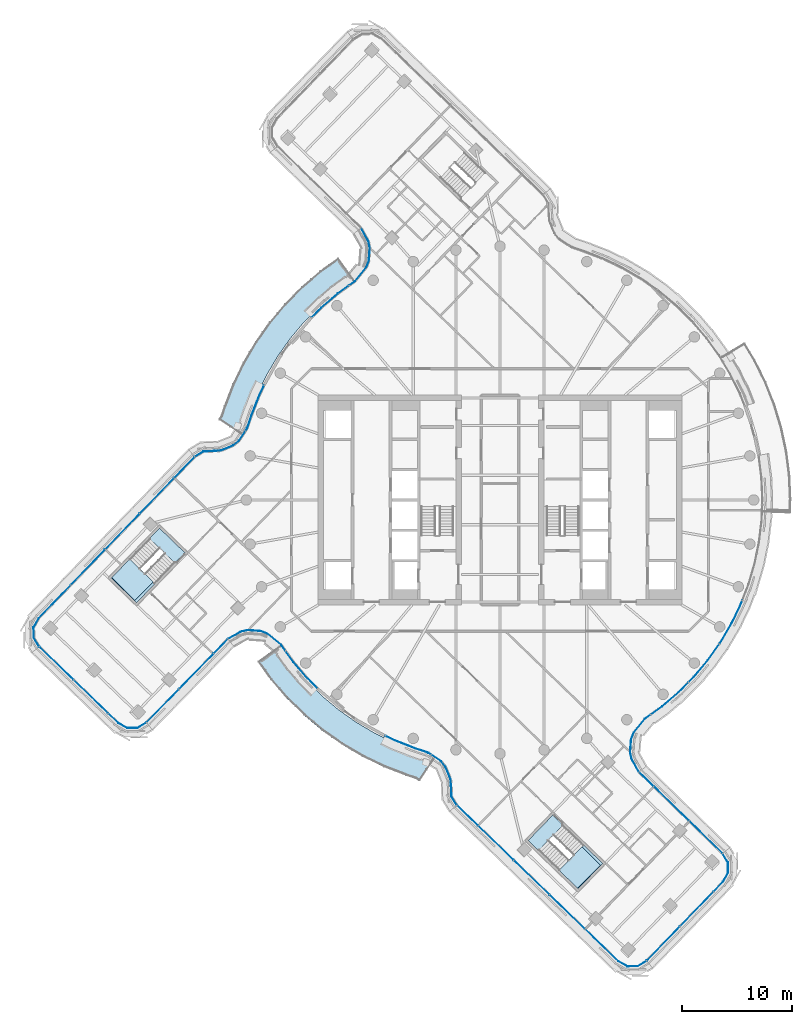
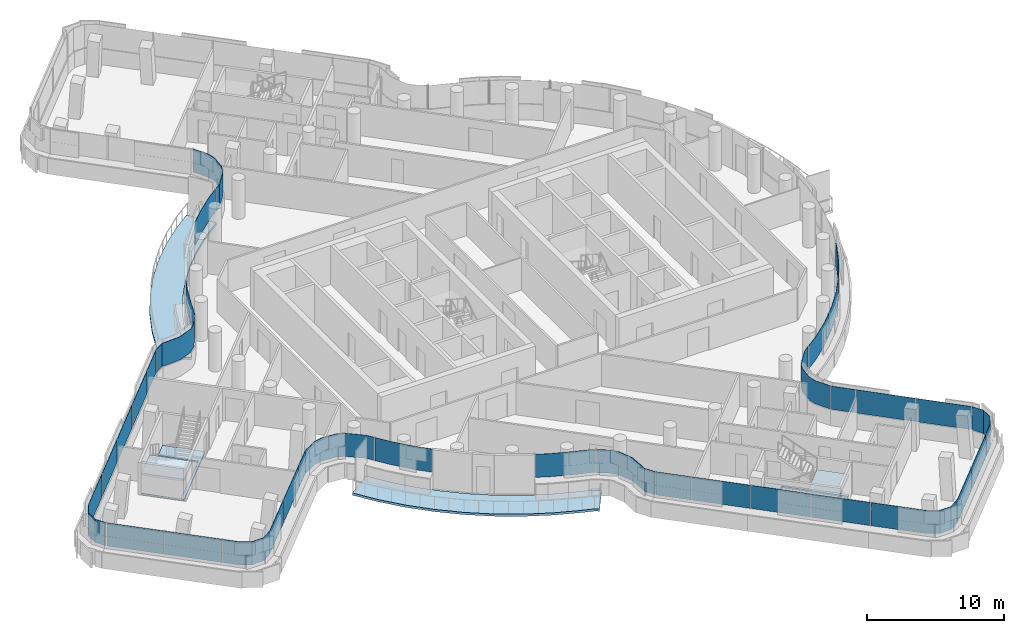
# One storey, part 17 of 31: 34 plates, 6 slabs, 11 elements without a shape of their own.
"""IFC4 building model written with IfcOpenShell, lengths in metres."""

from ifc_helpers import new_model, si_unit, direction, frame, origin, place, context, subcontext, project, spatial, polyline, outline, extrude, material, layer, layer_set, type_object, element, aggregate, save


model = new_model("IFC4")

# Units and contexts
model_context = context("Model", 3, precision=1e-05, world=origin(), true_north=direction((0.0, 1.0)))
body_context = subcontext(model_context, "Body", "Model", "MODEL_VIEW")
ifc_project = project(units=[si_unit("LENGTHUNIT", "METRE"), si_unit("AREAUNIT", "SQUARE_METRE"), si_unit("VOLUMEUNIT", "CUBIC_METRE"), si_unit("PLANEANGLEUNIT", "RADIAN"), si_unit("MASSUNIT", "GRAM", prefix="KILO")], contexts=[model_context])

# Site, building, storey
site_placement = place(None, origin())
site = spatial("IfcSite", under=ifc_project, at=site_placement, CompositionType="ELEMENT")
building_placement = place(site_placement, origin())
building = spatial("IfcBuilding", under=site, at=building_placement, Name="Tamarind Cross Interchange Tower", CompositionType="ELEMENT")
storey_placement = place(building_placement, frame((0.0, 0.0, 200.5)))
storey = spatial("IfcBuildingStorey", under=building, at=storey_placement, Name="L50", CompositionType="ELEMENT", Elevation=200.5)

# Slabs
ifc_material_1 = material(Name="Precast concrete C40", Category="concrete")
ifc_layer_1 = layer(ifc_material_1, 0.199951171875)
ifc_layer_set_1 = layer_set([ifc_layer_1], Name="Precast concrete C40")
slab_type_1 = type_object("IfcSlabType", Name="Balcony slab", PredefinedType="BASESLAB", material=ifc_layer_set_1)
slab_1_placement = place(storey_placement, frame((0.0, 0.0, -0.199951171875)))
element("IfcSlab", 1, at=slab_1_placement, inside=storey, type_object=slab_type_1, Name="SLB-L50-BAL02", PredefinedType="BASESLAB", context=body_context, shape_type="SweptSolid", body=[
    extrude(outline(polyline([(-19.9638671875, -13.305908203125), (-18.87255859375, -14.820068359375), (-17.584228515625, -16.327880859375), (-16.17578125, -17.72412109375), (-14.656982421875, -18.99951171875), (-13.0380859375, -20.14501953125), (-11.329833984375, -21.15283203125), (-9.54443359375, -22.01611328125), (-7.69384765625, -22.72900390625), (-6.571044921875, -23.109130859375), (-6.02783203125, -23.470703125), (-7.35791015625, -25.468505859375), (-7.638916015625, -25.281494140625), (-8.51025390625, -24.986572265625), (-10.499755859375, -24.219970703125), (-12.464111328125, -23.270263671875), (-14.343017578125, -22.161376953125), (-16.124267578125, -20.9013671875), (-17.795166015625, -19.498291015625), (-19.344482421875, -17.96240234375), (-20.76171875, -16.3037109375), (-21.910888671875, -14.70947265625), (-19.9638671875, -13.305908203125)])), origin(), (0.0, 0.0, 1.0), 0.199951171875),
])
slab_2_placement = place(storey_placement, frame((0.0, 0.0, -0.199951171875)))
element("IfcSlab", 2, at=slab_2_placement, inside=storey, type_object=slab_type_1, Name="SLB-L50-BAL10", PredefinedType="BASESLAB", context=body_context, shape_type="SweptSolid", body=[
    extrude(outline(polyline([(-13.305908203125, 19.9638671875), (-14.820068359375, 18.87255859375), (-16.327880859375, 17.584228515625), (-17.72412109375, 16.17578125), (-18.99951171875, 14.656982421875), (-20.14501953125, 13.0380859375), (-21.15283203125, 11.329833984375), (-22.01611328125, 9.54443359375), (-22.72900390625, 7.69384765625), (-23.109130859375, 6.571044921875), (-23.470703125, 6.02783203125), (-25.468505859375, 7.35791015625), (-25.281494140625, 7.638916015625), (-24.986572265625, 8.51025390625), (-24.219970703125, 10.499755859375), (-23.270263671875, 12.464111328125), (-22.161376953125, 14.343017578125), (-20.9013671875, 16.124267578125), (-19.498291015625, 17.795166015625), (-17.96240234375, 19.344482421875), (-16.3037109375, 20.76171875), (-14.70947265625, 21.910888671875), (-13.305908203125, 19.9638671875)])), origin(), (0.0, 0.0, 1.0), 0.199951171875),
])
ifc_material_2 = material(Name="Concrete C35", Category="concrete")
ifc_layer_2 = layer(ifc_material_2, 0.139892578125)
ifc_layer_set_2 = layer_set([ifc_layer_2], Name="Concrete C35")
slab_type_2 = type_object("IfcSlabType", Name="Composite slab 140 Concrete C35", PredefinedType="FLOOR", material=ifc_layer_set_2)
slab_3_placement = place(storey_placement, frame((0.0, 0.0, -0.139892578125)))
element("IfcSlab", 3, at=slab_3_placement, inside=storey, type_object=slab_type_2, Name="Floor slab L50", PredefinedType="FLOOR", context=body_context, shape_type="SweptSolid", body=[
    extrude(outline(polyline([(-35.24609375, -7.08447265625), (-32.9453125, -9.30859375), (-28.566650390625, -4.77880859375), (-30.867431640625, -2.5546875), (-31.72216796875, -3.43896484375), (-31.779296875, -3.498046875), (-29.600830078125, -5.60400390625), (-33.11328125, -9.107421875), (-35.189453125, -7.02587890625), (-35.24609375, -7.08447265625)])), origin(), (0.0, 0.0, 1.0), 0.139892578125),
])
slab_4_placement = place(storey_placement, frame((0.0, 0.0, -0.139892578125)))
element("IfcSlab", 4, at=slab_4_placement, inside=storey, type_object=slab_type_2, Name="Floor slab L50", PredefinedType="FLOOR", context=body_context, shape_type="SweptSolid", body=[
    extrude(outline(polyline([(7.08447265625, -35.24609375), (9.30859375, -32.9453125), (4.77880859375, -28.566650390625), (2.5546875, -30.867431640625), (3.43896484375, -31.72216796875), (3.498046875, -31.779296875), (5.60400390625, -29.600830078125), (9.107421875, -33.11328125), (7.02587890625, -35.189453125), (7.08447265625, -35.24609375)])), origin(), (0.0, 0.0, 1.0), 0.139892578125),
])

# Stair, slab
ifc_material_3 = material(Name="Exit stair")
stair_type = type_object("IfcStairType", Name="Exit stair", PredefinedType="HALF_TURN_STAIR", material=ifc_material_3)
stair_1_placement = place(storey_placement, origin())
stair_1 = element("IfcStair", 5, at=stair_1_placement, inside=storey, type_object=stair_type, Name="L50 exit stair ST5", PredefinedType="HALF_TURN_STAIR")
ifc_material_4 = material(Name="Concrete C40", Category="concrete")
ifc_layer_3 = layer(ifc_material_4, 0.199951171875)
ifc_layer_set_3 = layer_set([ifc_layer_3], Name="Concrete C40")
slab_type_3 = type_object("IfcSlabType", Name="Stair landing", PredefinedType="LANDING", material=ifc_layer_set_3)
slab_5_placement = place(storey_placement, frame((0.0, 0.0, 1.60009765625)))
slab_5 = element("IfcSlab", 6, at=slab_5_placement, type_object=slab_type_3, Name="ST5 landing 1", PredefinedType="LANDING", context=body_context, shape_type="SweptSolid", body=[
    extrude(outline(polyline([(-33.56982421875, -5.350341796875), (-35.24609375, -7.08447265625), (-32.9453125, -9.30859375), (-31.26904296875, -7.57421875), (-33.56982421875, -5.350341796875)])), origin(), (0.0, 0.0, 1.0), 0.199951171875),
])
aggregate(stair_1, [slab_5])

stair_2_placement = place(storey_placement, origin())
stair_2 = element("IfcStair", 7, at=stair_2_placement, inside=storey, type_object=stair_type, Name="L50 exit stair ST6", PredefinedType="HALF_TURN_STAIR")
slab_6_placement = place(storey_placement, frame((0.0, 0.0, 1.60009765625)))
slab_6 = element("IfcSlab", 8, at=slab_6_placement, type_object=slab_type_3, Name="ST6 landing 1", PredefinedType="LANDING", context=body_context, shape_type="SweptSolid", body=[
    extrude(outline(polyline([(5.350341796875, -33.56982421875), (7.08447265625, -35.24609375), (9.30859375, -32.9453125), (7.57421875, -31.26904296875), (5.350341796875, -33.56982421875)])), origin(), (0.0, 0.0, 1.0), 0.199951171875),
])
aggregate(stair_2, [slab_6])

# Curtain wall, plates
ifc_material_5 = material(Name="Aluminium 6063-T6", Category="aluminium")
ifc_layer_4 = layer(ifc_material_5, 0.139892578125)
ifc_layer_set_4 = layer_set([ifc_layer_4], Name="Aluminium 6063-T6")
curtain_wall_type = type_object("IfcCurtainWallType", Name="Hotel curtain wall, 4.5 m bays", PredefinedType="NOTDEFINED", material=ifc_layer_set_4)
curtain_wall_1_placement = place(storey_placement, origin())
curtain_wall_1 = element("IfcCurtainWall", 9, at=curtain_wall_1_placement, inside=storey, type_object=curtain_wall_type, Name="CWS-L50-00", PredefinedType="NOTDEFINED")
ifc_material_6 = material(Name="Laminated low-e glass 6+1.52+6", Category="glass")
ifc_layer_5 = layer(ifc_material_6, 0.02392578125)
ifc_layer_set_5 = layer_set([ifc_layer_5], Name="Laminated low-e glass 6+1.52+6")
plate_type = type_object("IfcPlateType", Name="Vision panel CW2", PredefinedType="CURTAIN_PANEL", material=ifc_layer_set_5)
plate_1_placement = place(storey_placement, frame((0.0, 0.0, 1.39990234375)))
plate_1 = element("IfcPlate", 10, at=plate_1_placement, type_object=plate_type, Name="CWP-L50-00-00", PredefinedType="CURTAIN_PANEL", context=body_context, shape_type="SweptSolid", body=[
    extrude(outline(polyline([(-41.745849609375, -13.313720703125), (-38.66455078125, -16.292236328125), (-38.68115234375, -16.3095703125), (-41.762451171875, -13.3310546875), (-41.745849609375, -13.313720703125)])), origin(), (0.0, 0.0, 1.0), 2.06005859375),
])
plate_2_placement = place(storey_placement, frame((0.0, 0.0, 1.39990234375)))
plate_2 = element("IfcPlate", 11, at=plate_2_placement, type_object=plate_type, Name="CWP-L50-00-01", PredefinedType="CURTAIN_PANEL", context=body_context, shape_type="SweptSolid", body=[
    extrude(outline(polyline([(-38.621337890625, -16.333984375), (-35.5400390625, -19.312744140625), (-35.556640625, -19.329833984375), (-38.637939453125, -16.351318359375), (-38.621337890625, -16.333984375)])), origin(), (0.0, 0.0, 1.0), 2.06005859375),
])
plate_3_placement = place(storey_placement, frame((0.0, 0.0, 1.39990234375)))
plate_3 = element("IfcPlate", 12, at=plate_3_placement, type_object=plate_type, Name="CWP-L50-00-02", PredefinedType="CURTAIN_PANEL", context=body_context, shape_type="SweptSolid", body=[
    extrude(outline(polyline([(-35.496826171875, -19.354248046875), (-34.616455078125, -20.205322265625), (-33.78515625, -20.666748046875), (-32.86376953125, -20.651123046875), (-32.07275390625, -20.17626953125), (-32.060302734375, -20.19677734375), (-32.85693359375, -20.675048828125), (-33.791259765625, -20.690673828125), (-34.630859375, -20.224853515625), (-35.513427734375, -19.37158203125), (-35.496826171875, -19.354248046875)])), origin(), (0.0, 0.0, 1.0), 2.06005859375),
])
aggregate(curtain_wall_1, [plate_1, plate_2, plate_3])

curtain_wall_2_placement = place(storey_placement, origin())
curtain_wall_2 = element("IfcCurtainWall", 13, at=curtain_wall_2_placement, inside=storey, type_object=curtain_wall_type, Name="CWS-L50-01", PredefinedType="NOTDEFINED")
plate_4_placement = place(storey_placement, frame((0.0, 0.0, 1.39990234375)))
plate_4 = element("IfcPlate", 14, at=plate_4_placement, type_object=plate_type, Name="CWP-L50-01-00", PredefinedType="CURTAIN_PANEL", context=body_context, shape_type="SweptSolid", body=[
    extrude(outline(polyline([(-32.028564453125, -20.141357421875), (-29.1328125, -17.16943359375), (-29.115478515625, -17.186279296875), (-32.01123046875, -20.157958984375), (-32.028564453125, -20.141357421875)])), origin(), (0.0, 0.0, 1.0), 2.06005859375),
])
plate_5_placement = place(storey_placement, frame((0.0, 0.0, 1.39990234375)))
plate_5 = element("IfcPlate", 15, at=plate_5_placement, type_object=plate_type, Name="CWP-L50-01-01", PredefinedType="CURTAIN_PANEL", context=body_context, shape_type="SweptSolid", body=[
    extrude(outline(polyline([(-29.0908203125, -17.12646484375), (-25.991455078125, -13.945556640625), (-25.97412109375, -13.96240234375), (-29.07373046875, -17.143310546875), (-29.0908203125, -17.12646484375)])), origin(), (0.0, 0.0, 1.0), 2.06005859375),
])
plate_6_placement = place(storey_placement, frame((0.0, 0.0, 1.39990234375)))
plate_6 = element("IfcPlate", 16, at=plate_6_placement, type_object=plate_type, Name="CWP-L50-01-02", PredefinedType="CURTAIN_PANEL", context=body_context, shape_type="SweptSolid", body=[
    extrude(outline(polyline([(-25.949462890625, -13.902587890625), (-24.6865234375, -12.6064453125), (-24.66943359375, -12.623291015625), (-25.932373046875, -13.91943359375), (-25.949462890625, -13.902587890625)])), origin(), (0.0, 0.0, 1.0), 2.06005859375),
])
aggregate(curtain_wall_2, [plate_4, plate_5, plate_6])

curtain_wall_3_placement = place(storey_placement, origin())
curtain_wall_3 = element("IfcCurtainWall", 17, at=curtain_wall_3_placement, inside=storey, type_object=curtain_wall_type, Name="CWS-L50-02", PredefinedType="NOTDEFINED")
plate_7_placement = place(storey_placement, frame((0.0, 0.0, 1.39990234375)))
plate_7 = element("IfcPlate", 18, at=plate_7_placement, type_object=plate_type, Name="CWP-L50-02-00", PredefinedType="CURTAIN_PANEL", context=body_context, shape_type="SweptSolid", body=[
    extrude(outline(polyline([(-24.63671875, -12.568359375), (-23.486572265625, -11.9248046875), (-22.87548828125, -11.789306640625), (-21.6767578125, -11.87841796875), (-21.089599609375, -12.103759765625), (-19.822509765625, -13.1396484375), (-19.456298828125, -13.6474609375), (-19.475830078125, -13.66162109375), (-19.840087890625, -13.15625), (-21.101806640625, -12.124755859375), (-21.68212890625, -11.902099609375), (-22.873779296875, -11.8134765625), (-23.47802734375, -11.947509765625), (-24.625, -12.589111328125), (-24.63671875, -12.568359375)])), origin(), (0.0, 0.0, 1.0), 2.06005859375),
])
plate_8_placement = place(storey_placement, frame((0.0, 0.0, 1.39990234375)))
plate_8 = element("IfcPlate", 19, at=plate_8_placement, type_object=plate_type, Name="CWP-L50-02-01", PredefinedType="CURTAIN_PANEL", context=body_context, shape_type="SweptSolid", body=[
    extrude(outline(polyline([(-19.42138671875, -13.6962890625), (-18.705810546875, -14.68896484375), (-17.4287109375, -16.183349609375), (-16.549560546875, -17.05517578125), (-16.566650390625, -17.072021484375), (-17.4462890625, -16.19970703125), (-18.724609375, -14.703857421875), (-19.440673828125, -13.710205078125), (-19.42138671875, -13.6962890625)])), origin(), (0.0, 0.0, 1.0), 2.06005859375),
])
plate_9_placement = place(storey_placement, frame((0.0, 0.0, 1.39990234375)))
plate_9 = element("IfcPlate", 20, at=plate_9_placement, type_object=plate_type, Name="CWP-L50-02-03", PredefinedType="CURTAIN_PANEL", context=body_context, shape_type="SweptSolid", body=[
    extrude(outline(polyline([(-10.379150390625, -21.376953125), (-9.4599609375, -21.821533203125), (-7.62158203125, -22.52978515625), (-6.476806640625, -22.917236328125), (-6.2783203125, -23.04931640625), (-6.291748046875, -23.0693359375), (-6.487548828125, -22.93896484375), (-7.6298828125, -22.55224609375), (-9.469482421875, -21.843505859375), (-10.3896484375, -21.398681640625), (-10.379150390625, -21.376953125)])), origin(), (0.0, 0.0, 1.0), 2.06005859375),
])
plate_10_placement = place(storey_placement, frame((0.0, 0.0, 1.39990234375)))
plate_10 = element("IfcPlate", 21, at=plate_10_placement, type_object=plate_type, Name="CWP-L50-02-04", PredefinedType="CURTAIN_PANEL", context=body_context, shape_type="SweptSolid", body=[
    extrude(outline(polyline([(-6.228515625, -23.08251953125), (-5.3349609375, -23.677490234375), (-4.93115234375, -24.171142578125), (-4.468017578125, -25.306640625), (-4.419677734375, -25.941650390625), (-4.377685546875, -26.8896484375), (-3.912841796875, -27.648681640625), (-3.933349609375, -27.661376953125), (-4.4013671875, -26.89697265625), (-4.443603515625, -25.943115234375), (-4.49169921875, -25.312255859375), (-4.9521484375, -24.183349609375), (-5.35107421875, -23.6953125), (-6.24169921875, -23.1025390625), (-6.228515625, -23.08251953125)])), origin(), (0.0, 0.0, 1.0), 2.06005859375),
])
aggregate(curtain_wall_3, [plate_7, plate_8, plate_9, plate_10])

curtain_wall_4_placement = place(storey_placement, origin())
curtain_wall_4 = element("IfcCurtainWall", 22, at=curtain_wall_4_placement, inside=storey, type_object=curtain_wall_type, Name="CWS-L50-03", PredefinedType="NOTDEFINED")
plate_11_placement = place(storey_placement, frame((0.0, 0.0, 1.39990234375)))
plate_11 = element("IfcPlate", 23, at=plate_11_placement, type_object=plate_type, Name="CWP-L50-03-00", PredefinedType="CURTAIN_PANEL", context=body_context, shape_type="SweptSolid", body=[
    extrude(outline(polyline([(-3.87744140625, -27.69287109375), (-1.993896484375, -29.513671875), (-2.010498046875, -29.531005859375), (-3.894287109375, -27.7099609375), (-3.87744140625, -27.69287109375)])), origin(), (0.0, 0.0, 1.0), 2.06005859375),
])
plate_12_placement = place(storey_placement, frame((0.0, 0.0, 1.39990234375)))
plate_12 = element("IfcPlate", 24, at=plate_12_placement, type_object=plate_type, Name="CWP-L50-03-01", PredefinedType="CURTAIN_PANEL", context=body_context, shape_type="SweptSolid", body=[
    extrude(outline(polyline([(-1.95068359375, -29.555419921875), (1.2333984375, -32.63330078125), (1.216796875, -32.650634765625), (-1.96728515625, -29.572509765625), (-1.95068359375, -29.555419921875)])), origin(), (0.0, 0.0, 1.0), 2.06005859375),
])
plate_13_placement = place(storey_placement, frame((0.0, 0.0, 1.39990234375)))
plate_13 = element("IfcPlate", 25, at=plate_13_placement, type_object=plate_type, Name="CWP-L50-03-02", PredefinedType="CURTAIN_PANEL", context=body_context, shape_type="SweptSolid", body=[
    extrude(outline(polyline([(1.276611328125, -32.675048828125), (4.460693359375, -35.7529296875), (4.444091796875, -35.770263671875), (1.260009765625, -32.6923828125), (1.276611328125, -32.675048828125)])), origin(), (0.0, 0.0, 1.0), 2.06005859375),
])
plate_14_placement = place(storey_placement, frame((0.0, 0.0, 1.39990234375)))
plate_14 = element("IfcPlate", 26, at=plate_14_placement, type_object=plate_type, Name="CWP-L50-03-03", PredefinedType="CURTAIN_PANEL", context=body_context, shape_type="SweptSolid", body=[
    extrude(outline(polyline([(4.50390625, -35.794677734375), (7.68798828125, -38.87255859375), (7.671142578125, -38.889892578125), (4.487060546875, -35.81201171875), (4.50390625, -35.794677734375)])), origin(), (0.0, 0.0, 1.0), 2.06005859375),
])
plate_15_placement = place(storey_placement, frame((0.0, 0.0, 1.39990234375)))
plate_15 = element("IfcPlate", 27, at=plate_15_placement, type_object=plate_type, Name="CWP-L50-03-04", PredefinedType="CURTAIN_PANEL", context=body_context, shape_type="SweptSolid", body=[
    extrude(outline(polyline([(7.73095703125, -38.914306640625), (10.726318359375, -41.809814453125), (11.557373046875, -42.27099609375), (12.47900390625, -42.25537109375), (13.26953125, -41.78076171875), (13.281982421875, -41.80126953125), (12.48583984375, -42.279296875), (11.551513671875, -42.295166015625), (10.7119140625, -41.8291015625), (7.71435546875, -38.931640625), (7.73095703125, -38.914306640625)])), origin(), (0.0, 0.0, 1.0), 2.06005859375),
])
aggregate(curtain_wall_4, [plate_11, plate_12, plate_13, plate_14, plate_15])

curtain_wall_5_placement = place(storey_placement, origin())
curtain_wall_5 = element("IfcCurtainWall", 28, at=curtain_wall_5_placement, inside=storey, type_object=curtain_wall_type, Name="CWS-L50-04", PredefinedType="NOTDEFINED")
plate_16_placement = place(storey_placement, frame((0.0, 0.0, 1.39990234375)))
plate_16 = element("IfcPlate", 29, at=plate_16_placement, type_object=plate_type, Name="CWP-L50-04-00", PredefinedType="CURTAIN_PANEL", context=body_context, shape_type="SweptSolid", body=[
    extrude(outline(polyline([(13.313720703125, -41.745849609375), (16.292236328125, -38.66455078125), (16.3095703125, -38.68115234375), (13.3310546875, -41.762451171875), (13.313720703125, -41.745849609375)])), origin(), (0.0, 0.0, 1.0), 2.06005859375),
])
plate_17_placement = place(storey_placement, frame((0.0, 0.0, 1.39990234375)))
plate_17 = element("IfcPlate", 30, at=plate_17_placement, type_object=plate_type, Name="CWP-L50-04-01", PredefinedType="CURTAIN_PANEL", context=body_context, shape_type="SweptSolid", body=[
    extrude(outline(polyline([(16.333984375, -38.621337890625), (19.312744140625, -35.5400390625), (19.329833984375, -35.556640625), (16.351318359375, -38.637939453125), (16.333984375, -38.621337890625)])), origin(), (0.0, 0.0, 1.0), 2.06005859375),
])
plate_18_placement = place(storey_placement, frame((0.0, 0.0, 1.39990234375)))
plate_18 = element("IfcPlate", 31, at=plate_18_placement, type_object=plate_type, Name="CWP-L50-04-02", PredefinedType="CURTAIN_PANEL", context=body_context, shape_type="SweptSolid", body=[
    extrude(outline(polyline([(19.354248046875, -35.496826171875), (20.205322265625, -34.616455078125), (20.666748046875, -33.78515625), (20.651123046875, -32.86376953125), (20.17626953125, -32.07275390625), (20.19677734375, -32.060302734375), (20.675048828125, -32.85693359375), (20.690673828125, -33.791259765625), (20.224853515625, -34.630859375), (19.37158203125, -35.513427734375), (19.354248046875, -35.496826171875)])), origin(), (0.0, 0.0, 1.0), 2.06005859375),
])
aggregate(curtain_wall_5, [plate_16, plate_17, plate_18])

curtain_wall_6_placement = place(storey_placement, origin())
curtain_wall_6 = element("IfcCurtainWall", 32, at=curtain_wall_6_placement, inside=storey, type_object=curtain_wall_type, Name="CWS-L50-05", PredefinedType="NOTDEFINED")
plate_19_placement = place(storey_placement, frame((0.0, 0.0, 1.39990234375)))
plate_19 = element("IfcPlate", 33, at=plate_19_placement, type_object=plate_type, Name="CWP-L50-05-00", PredefinedType="CURTAIN_PANEL", context=body_context, shape_type="SweptSolid", body=[
    extrude(outline(polyline([(20.141357421875, -32.028564453125), (17.16943359375, -29.1328125), (17.186279296875, -29.115478515625), (20.157958984375, -32.01123046875), (20.141357421875, -32.028564453125)])), origin(), (0.0, 0.0, 1.0), 2.06005859375),
])
plate_20_placement = place(storey_placement, frame((0.0, 0.0, 1.39990234375)))
plate_20 = element("IfcPlate", 34, at=plate_20_placement, type_object=plate_type, Name="CWP-L50-05-01", PredefinedType="CURTAIN_PANEL", context=body_context, shape_type="SweptSolid", body=[
    extrude(outline(polyline([(17.12646484375, -29.0908203125), (13.945556640625, -25.991455078125), (13.96240234375, -25.97412109375), (17.143310546875, -29.07373046875), (17.12646484375, -29.0908203125)])), origin(), (0.0, 0.0, 1.0), 2.06005859375),
])
plate_21_placement = place(storey_placement, frame((0.0, 0.0, 1.39990234375)))
plate_21 = element("IfcPlate", 35, at=plate_21_placement, type_object=plate_type, Name="CWP-L50-05-02", PredefinedType="CURTAIN_PANEL", context=body_context, shape_type="SweptSolid", body=[
    extrude(outline(polyline([(13.902587890625, -25.949462890625), (12.6064453125, -24.6865234375), (12.623291015625, -24.66943359375), (13.91943359375, -25.932373046875), (13.902587890625, -25.949462890625)])), origin(), (0.0, 0.0, 1.0), 2.06005859375),
])
aggregate(curtain_wall_6, [plate_19, plate_20, plate_21])

curtain_wall_7_placement = place(storey_placement, origin())
curtain_wall_7 = element("IfcCurtainWall", 36, at=curtain_wall_7_placement, inside=storey, type_object=curtain_wall_type, Name="CWS-L50-06", PredefinedType="NOTDEFINED")
plate_22_placement = place(storey_placement, frame((0.0, 0.0, 1.39990234375)))
plate_22 = element("IfcPlate", 37, at=plate_22_placement, type_object=plate_type, Name="CWP-L50-06-00", PredefinedType="CURTAIN_PANEL", context=body_context, shape_type="SweptSolid", body=[
    extrude(outline(polyline([(12.568359375, -24.63671875), (11.9248046875, -23.486572265625), (11.789306640625, -22.87548828125), (11.87841796875, -21.6767578125), (12.103759765625, -21.089599609375), (13.1396484375, -19.822509765625), (13.6474609375, -19.456298828125), (13.66162109375, -19.475830078125), (13.15625, -19.840087890625), (12.124755859375, -21.101806640625), (11.902099609375, -21.68212890625), (11.8134765625, -22.873779296875), (11.947509765625, -23.47802734375), (12.589111328125, -24.625), (12.568359375, -24.63671875)])), origin(), (0.0, 0.0, 1.0), 2.06005859375),
])
plate_23_placement = place(storey_placement, frame((0.0, 0.0, 1.39990234375)))
plate_23 = element("IfcPlate", 38, at=plate_23_placement, type_object=plate_type, Name="CWP-L50-06-01", PredefinedType="CURTAIN_PANEL", context=body_context, shape_type="SweptSolid", body=[
    extrude(outline(polyline([(13.6962890625, -19.42138671875), (14.68896484375, -18.705810546875), (16.183349609375, -17.4287109375), (17.05517578125, -16.549560546875), (17.072021484375, -16.566650390625), (16.19970703125, -17.4462890625), (14.703857421875, -18.724609375), (13.710205078125, -19.440673828125), (13.6962890625, -19.42138671875)])), origin(), (0.0, 0.0, 1.0), 2.06005859375),
])
plate_24_placement = place(storey_placement, frame((0.0, 0.0, 1.39990234375)))
plate_24 = element("IfcPlate", 39, at=plate_24_placement, type_object=plate_type, Name="CWP-L50-06-02", PredefinedType="CURTAIN_PANEL", context=body_context, shape_type="SweptSolid", body=[
    extrude(outline(polyline([(17.097412109375, -16.507080078125), (17.5673828125, -16.032958984375), (18.83154296875, -14.52734375), (19.854736328125, -13.0810546875), (19.874267578125, -13.094970703125), (18.850341796875, -14.5419921875), (17.585205078125, -16.049072265625), (17.1142578125, -16.52392578125), (17.097412109375, -16.507080078125)])), origin(), (0.0, 0.0, 1.0), 2.06005859375),
])
plate_25_placement = place(storey_placement, frame((0.0, 0.0, 1.39990234375)))
plate_25 = element("IfcPlate", 40, at=plate_25_placement, type_object=plate_type, Name="CWP-L50-06-03", PredefinedType="CURTAIN_PANEL", context=body_context, shape_type="SweptSolid", body=[
    extrude(outline(polyline([(19.889404296875, -13.0322265625), (19.966796875, -12.922607421875), (20.9658203125, -11.229736328125), (21.821533203125, -9.4599609375), (21.94287109375, -9.14453125), (21.96533203125, -9.1533203125), (21.843505859375, -9.469482421875), (20.98681640625, -11.240966796875), (19.987060546875, -12.935791015625), (19.908935546875, -13.0458984375), (19.889404296875, -13.0322265625)])), origin(), (0.0, 0.0, 1.0), 2.06005859375),
])
aggregate(curtain_wall_7, [plate_22, plate_23, plate_24, plate_25])

curtain_wall_8_placement = place(storey_placement, origin())
curtain_wall_8 = element("IfcCurtainWall", 41, at=curtain_wall_8_placement, inside=storey, type_object=curtain_wall_type, Name="CWS-L50-10", PredefinedType="NOTDEFINED")
plate_26_placement = place(storey_placement, frame((0.0, 0.0, 1.39990234375)))
plate_26 = element("IfcPlate", 42, at=plate_26_placement, type_object=plate_type, Name="CWP-L50-10-00", PredefinedType="CURTAIN_PANEL", context=body_context, shape_type="SweptSolid", body=[
    extrude(outline(polyline([(-12.568359375, 24.63671875), (-11.9248046875, 23.486572265625), (-11.789306640625, 22.87548828125), (-11.87841796875, 21.6767578125), (-12.103759765625, 21.089599609375), (-13.1396484375, 19.822509765625), (-13.6474609375, 19.456298828125), (-13.66162109375, 19.475830078125), (-13.15625, 19.840087890625), (-12.124755859375, 21.101806640625), (-11.902099609375, 21.68212890625), (-11.8134765625, 22.873779296875), (-11.947509765625, 23.47802734375), (-12.589111328125, 24.625), (-12.568359375, 24.63671875)])), origin(), (0.0, 0.0, 1.0), 2.06005859375),
])
plate_27_placement = place(storey_placement, frame((0.0, 0.0, 1.39990234375)))
plate_27 = element("IfcPlate", 43, at=plate_27_placement, type_object=plate_type, Name="CWP-L50-10-01", PredefinedType="CURTAIN_PANEL", context=body_context, shape_type="SweptSolid", body=[
    extrude(outline(polyline([(-13.6962890625, 19.42138671875), (-14.68896484375, 18.705810546875), (-16.183349609375, 17.4287109375), (-17.05517578125, 16.549560546875), (-17.072021484375, 16.566650390625), (-16.19970703125, 17.4462890625), (-14.703857421875, 18.724609375), (-13.710205078125, 19.440673828125), (-13.6962890625, 19.42138671875)])), origin(), (0.0, 0.0, 1.0), 2.06005859375),
])
plate_28_placement = place(storey_placement, frame((0.0, 0.0, 1.39990234375)))
plate_28 = element("IfcPlate", 44, at=plate_28_placement, type_object=plate_type, Name="CWP-L50-10-03", PredefinedType="CURTAIN_PANEL", context=body_context, shape_type="SweptSolid", body=[
    extrude(outline(polyline([(-21.376953125, 10.379150390625), (-21.821533203125, 9.4599609375), (-22.52978515625, 7.62158203125), (-22.917236328125, 6.476806640625), (-23.04931640625, 6.2783203125), (-23.0693359375, 6.291748046875), (-22.93896484375, 6.487548828125), (-22.55224609375, 7.6298828125), (-21.843505859375, 9.469482421875), (-21.398681640625, 10.3896484375), (-21.376953125, 10.379150390625)])), origin(), (0.0, 0.0, 1.0), 2.06005859375),
])
plate_29_placement = place(storey_placement, frame((0.0, 0.0, 1.39990234375)))
plate_29 = element("IfcPlate", 45, at=plate_29_placement, type_object=plate_type, Name="CWP-L50-10-04", PredefinedType="CURTAIN_PANEL", context=body_context, shape_type="SweptSolid", body=[
    extrude(outline(polyline([(-23.08251953125, 6.228515625), (-23.677490234375, 5.3349609375), (-24.171142578125, 4.93115234375), (-25.306640625, 4.468017578125), (-25.941650390625, 4.419677734375), (-26.8896484375, 4.377685546875), (-27.648681640625, 3.912841796875), (-27.661376953125, 3.933349609375), (-26.89697265625, 4.4013671875), (-25.943115234375, 4.443603515625), (-25.312255859375, 4.49169921875), (-24.183349609375, 4.9521484375), (-23.6953125, 5.35107421875), (-23.1025390625, 6.24169921875), (-23.08251953125, 6.228515625)])), origin(), (0.0, 0.0, 1.0), 2.06005859375),
])
aggregate(curtain_wall_8, [plate_26, plate_27, plate_28, plate_29])

curtain_wall_9_placement = place(storey_placement, origin())
curtain_wall_9 = element("IfcCurtainWall", 46, at=curtain_wall_9_placement, inside=storey, type_object=curtain_wall_type, Name="CWS-L50-11", PredefinedType="NOTDEFINED")
plate_30_placement = place(storey_placement, frame((0.0, 0.0, 1.39990234375)))
plate_30 = element("IfcPlate", 47, at=plate_30_placement, type_object=plate_type, Name="CWP-L50-11-00", PredefinedType="CURTAIN_PANEL", context=body_context, shape_type="SweptSolid", body=[
    extrude(outline(polyline([(-27.69287109375, 3.87744140625), (-29.513671875, 1.993896484375), (-29.531005859375, 2.010498046875), (-27.7099609375, 3.894287109375), (-27.69287109375, 3.87744140625)])), origin(), (0.0, 0.0, 1.0), 2.06005859375),
])
plate_31_placement = place(storey_placement, frame((0.0, 0.0, 1.39990234375)))
plate_31 = element("IfcPlate", 48, at=plate_31_placement, type_object=plate_type, Name="CWP-L50-11-01", PredefinedType="CURTAIN_PANEL", context=body_context, shape_type="SweptSolid", body=[
    extrude(outline(polyline([(-29.555419921875, 1.95068359375), (-32.63330078125, -1.2333984375), (-32.650634765625, -1.216796875), (-29.572509765625, 1.96728515625), (-29.555419921875, 1.95068359375)])), origin(), (0.0, 0.0, 1.0), 2.06005859375),
])
plate_32_placement = place(storey_placement, frame((0.0, 0.0, 1.39990234375)))
plate_32 = element("IfcPlate", 49, at=plate_32_placement, type_object=plate_type, Name="CWP-L50-11-02", PredefinedType="CURTAIN_PANEL", context=body_context, shape_type="SweptSolid", body=[
    extrude(outline(polyline([(-32.675048828125, -1.276611328125), (-35.7529296875, -4.460693359375), (-35.770263671875, -4.444091796875), (-32.6923828125, -1.260009765625), (-32.675048828125, -1.276611328125)])), origin(), (0.0, 0.0, 1.0), 2.06005859375),
])
plate_33_placement = place(storey_placement, frame((0.0, 0.0, 1.39990234375)))
plate_33 = element("IfcPlate", 50, at=plate_33_placement, type_object=plate_type, Name="CWP-L50-11-03", PredefinedType="CURTAIN_PANEL", context=body_context, shape_type="SweptSolid", body=[
    extrude(outline(polyline([(-35.794677734375, -4.50390625), (-38.87255859375, -7.68798828125), (-38.889892578125, -7.671142578125), (-35.81201171875, -4.487060546875), (-35.794677734375, -4.50390625)])), origin(), (0.0, 0.0, 1.0), 2.06005859375),
])
plate_34_placement = place(storey_placement, frame((0.0, 0.0, 1.39990234375)))
plate_34 = element("IfcPlate", 51, at=plate_34_placement, type_object=plate_type, Name="CWP-L50-11-04", PredefinedType="CURTAIN_PANEL", context=body_context, shape_type="SweptSolid", body=[
    extrude(outline(polyline([(-38.914306640625, -7.73095703125), (-41.809814453125, -10.726318359375), (-42.27099609375, -11.557373046875), (-42.25537109375, -12.47900390625), (-41.78076171875, -13.26953125), (-41.80126953125, -13.281982421875), (-42.279296875, -12.48583984375), (-42.295166015625, -11.551513671875), (-41.8291015625, -10.7119140625), (-38.931640625, -7.71435546875), (-38.914306640625, -7.73095703125)])), origin(), (0.0, 0.0, 1.0), 2.06005859375),
])
aggregate(curtain_wall_9, [plate_30, plate_31, plate_32, plate_33, plate_34])

save(model, "model.ifc")
